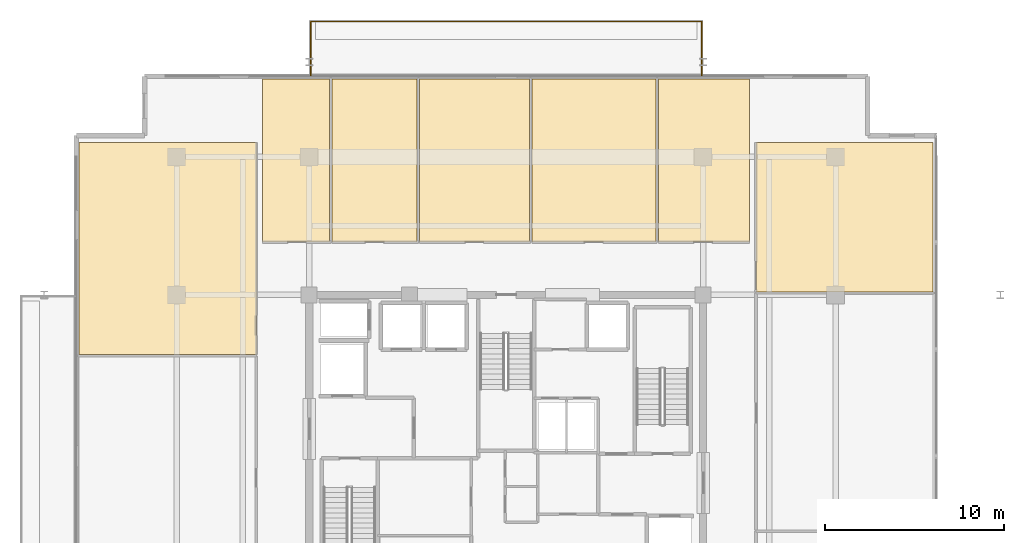
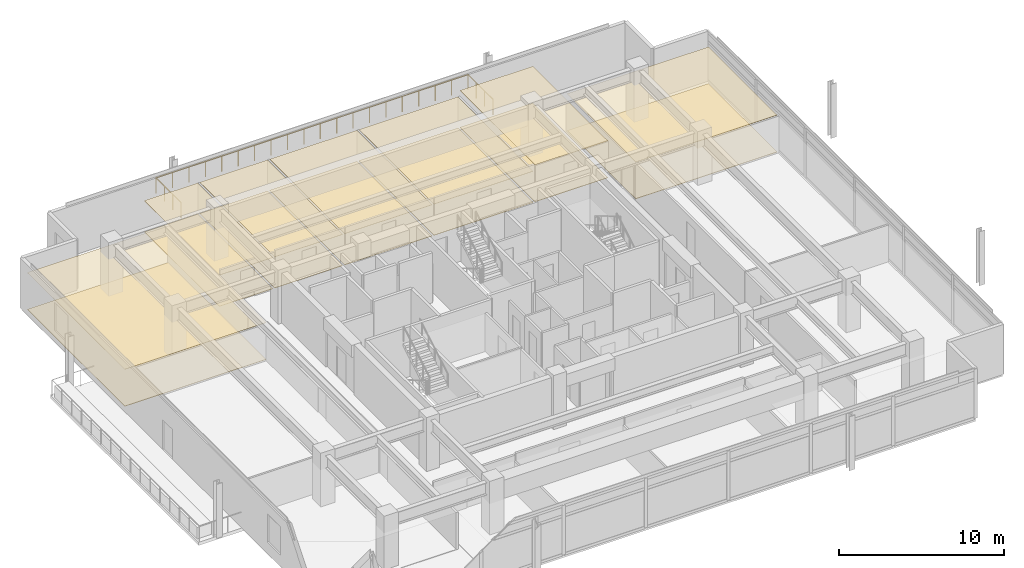
# One storey, part 18 of 18: 14 coverings, 1 railing.
"""IFC4 building model written with IfcOpenShell, lengths in metres."""

from ifc_helpers import new_model, si_unit, direction, frame, origin, origin_2d, place, context, subcontext, project, spatial, polyline, circle, outline, extrude, material, layer, layer_set, type_object, element, save


model = new_model("IFC4")

# Units and contexts
model_context = context("Model", 3, precision=1e-05, world=origin(), true_north=direction((0.0, 1.0)))
body_context = subcontext(model_context, "Body", "Model", "MODEL_VIEW")
ifc_project = project(units=[si_unit("LENGTHUNIT", "METRE"), si_unit("AREAUNIT", "SQUARE_METRE"), si_unit("VOLUMEUNIT", "CUBIC_METRE"), si_unit("PLANEANGLEUNIT", "RADIAN"), si_unit("MASSUNIT", "GRAM", prefix="KILO")], contexts=[model_context])

# Site, building, storey
site_placement = place(None, origin())
site = spatial("IfcSite", under=ifc_project, at=site_placement, CompositionType="ELEMENT")
building_placement = place(site_placement, origin())
building = spatial("IfcBuilding", under=site, at=building_placement, Name="Kovane Verandah Tower", CompositionType="ELEMENT")
storey_placement = place(building_placement, frame((0.0, 0.0, 338.800048828125)))
storey = spatial("IfcBuildingStorey", under=building, at=storey_placement, Name="L79", CompositionType="ELEMENT", Elevation=338.800048828125)

# Coverings
ifc_material_1 = material(Name="Perforated Acoustic Mineral-Fibre Ceiling Tile", Category="gypsum")
ifc_layer_1 = layer(ifc_material_1, 0.02490234375)
ifc_layer_set_1 = layer_set([ifc_layer_1], Name="Perforated Acoustic Mineral-Fibre Ceiling Tile")
covering_type_1 = type_object("IfcCoveringType", Name="CV-CEIL-25", PredefinedType="CEILING", material=ifc_layer_set_1)
covering_1_placement = place(storey_placement, frame((0.0, 0.0, 2.304931640625)))
element("IfcCovering", 1, at=covering_1_placement, inside=storey, type_object=covering_type_1, Name="L79 Focus Studio N1 Acoustic Ceiling", PredefinedType="CEILING", context=body_context, shape_type="SweptSolid", body=[
    extrude(outline(polyline([(26.39990234375, 39.449951171875), (30.137939453125, 39.449951171875), (30.137939453125, 48.550048828125), (26.39990234375, 48.550048828125), (26.39990234375, 39.449951171875)])), origin(), (0.0, 0.0, 1.0), 0.02490234375),
])
covering_2_placement = place(storey_placement, frame((0.0, 0.0, 2.304931640625)))
element("IfcCovering", 2, at=covering_2_placement, inside=storey, type_object=covering_type_1, Name="L79 Breakout Pantry N2 Acoustic Ceiling", PredefinedType="CEILING", context=body_context, shape_type="SweptSolid", body=[
    extrude(outline(polyline([(30.278076171875, 39.449951171875), (35.033935546875, 39.449951171875), (35.033935546875, 48.550048828125), (30.278076171875, 48.550048828125), (30.278076171875, 39.449951171875)])), origin(), (0.0, 0.0, 1.0), 0.02490234375),
])
covering_3_placement = place(storey_placement, frame((0.0, 0.0, 2.304931640625)))
element("IfcCovering", 3, at=covering_3_placement, inside=storey, type_object=covering_type_1, Name="L79 Collaboration Hub N3 Acoustic Ceiling", PredefinedType="CEILING", context=body_context, shape_type="SweptSolid", body=[
    extrude(outline(polyline([(35.174072265625, 39.449951171875), (41.2900390625, 39.449951171875), (41.2900390625, 48.550048828125), (35.174072265625, 48.550048828125), (35.174072265625, 39.449951171875)])), origin(), (0.0, 0.0, 1.0), 0.02490234375),
])
covering_4_placement = place(storey_placement, frame((0.0, 0.0, 2.304931640625)))
element("IfcCovering", 4, at=covering_4_placement, inside=storey, type_object=covering_type_1, Name="L79 Document and Print Room N4 Acoustic Ceiling", PredefinedType="CEILING", context=body_context, shape_type="SweptSolid", body=[
    extrude(outline(polyline([(41.429931640625, 39.449951171875), (48.362060546875, 39.449951171875), (48.362060546875, 48.550048828125), (41.429931640625, 48.550048828125), (41.429931640625, 39.449951171875)])), origin(), (0.0, 0.0, 1.0), 0.02490234375),
])
covering_5_placement = place(storey_placement, frame((0.0, 0.0, 2.728271484375)))
element("IfcCovering", 5, at=covering_5_placement, inside=storey, type_object=covering_type_1, Name="L79 Open Plan Office N5 Acoustic Ceiling", PredefinedType="CEILING", context=body_context, shape_type="SweptSolid", body=[
    extrude(outline(polyline([(48.501953125, 39.449951171875), (53.60009765625, 39.449951171875), (53.60009765625, 48.550048828125), (48.501953125, 48.550048828125), (48.501953125, 39.449951171875)])), origin(), (0.0, 0.0, 1.0), 0.025146484375),
])
covering_6_placement = place(storey_placement, frame((0.0, 0.0, 2.728271484375)))
element("IfcCovering", 6, at=covering_6_placement, inside=storey, type_object=covering_type_1, Name="L79 Document and Print Room W3 Acoustic Ceiling", PredefinedType="CEILING", context=body_context, shape_type="SweptSolid", body=[
    extrude(outline(polyline([(16.14990234375, 33.169921875), (26.050048828125, 33.169921875), (26.050048828125, 45.0), (16.14990234375, 45.0), (16.14990234375, 33.169921875)])), origin(), (0.0, 0.0, 1.0), 0.025146484375),
])
covering_7_placement = place(storey_placement, frame((0.0, 0.0, 2.728271484375)))
element("IfcCovering", 7, at=covering_7_placement, inside=storey, type_object=covering_type_1, Name="L79 Client Boardroom E3 Acoustic Ceiling", PredefinedType="CEILING", context=body_context, shape_type="SweptSolid", body=[
    extrude(outline(polyline([(53.949951171875, 36.669921875), (63.85009765625, 36.669921875), (63.85009765625, 45.0), (53.949951171875, 45.0), (53.949951171875, 36.669921875)])), origin(), (0.0, 0.0, 1.0), 0.025146484375),
])
ifc_material_2 = material(Name="Polished Terrazzo and Raised-Access Carpet Tile Finish", Category="concrete")
ifc_layer_2 = layer(ifc_material_2, 0.030029296875)
ifc_layer_set_2 = layer_set([ifc_layer_2], Name="Polished Terrazzo and Raised-Access Carpet Tile Finish")
covering_type_2 = type_object("IfcCoveringType", Name="CV-FLOR-30", PredefinedType="FLOORING", material=ifc_layer_set_2)
covering_8_placement = place(storey_placement, origin())
element("IfcCovering", 8, at=covering_8_placement, inside=storey, type_object=covering_type_2, Name="L79 Focus Studio N1 Floor Finish", PredefinedType="FLOORING", context=body_context, shape_type="SweptSolid", body=[
    extrude(outline(polyline([(26.39990234375, 39.449951171875), (30.137939453125, 39.449951171875), (30.137939453125, 48.550048828125), (26.39990234375, 48.550048828125), (26.39990234375, 39.449951171875)])), origin(), (0.0, 0.0, 1.0), 0.030029296875),
])
covering_9_placement = place(storey_placement, origin())
element("IfcCovering", 9, at=covering_9_placement, inside=storey, type_object=covering_type_2, Name="L79 Breakout Pantry N2 Floor Finish", PredefinedType="FLOORING", context=body_context, shape_type="SweptSolid", body=[
    extrude(outline(polyline([(30.278076171875, 39.449951171875), (35.033935546875, 39.449951171875), (35.033935546875, 48.550048828125), (30.278076171875, 48.550048828125), (30.278076171875, 39.449951171875)])), origin(), (0.0, 0.0, 1.0), 0.030029296875),
])
covering_10_placement = place(storey_placement, origin())
element("IfcCovering", 10, at=covering_10_placement, inside=storey, type_object=covering_type_2, Name="L79 Collaboration Hub N3 Floor Finish", PredefinedType="FLOORING", context=body_context, shape_type="SweptSolid", body=[
    extrude(outline(polyline([(35.174072265625, 39.449951171875), (41.2900390625, 39.449951171875), (41.2900390625, 48.550048828125), (35.174072265625, 48.550048828125), (35.174072265625, 39.449951171875)])), origin(), (0.0, 0.0, 1.0), 0.030029296875),
])
covering_11_placement = place(storey_placement, origin())
element("IfcCovering", 11, at=covering_11_placement, inside=storey, type_object=covering_type_2, Name="L79 Document and Print Room N4 Floor Finish", PredefinedType="FLOORING", context=body_context, shape_type="SweptSolid", body=[
    extrude(outline(polyline([(41.429931640625, 39.449951171875), (48.362060546875, 39.449951171875), (48.362060546875, 48.550048828125), (41.429931640625, 48.550048828125), (41.429931640625, 39.449951171875)])), origin(), (0.0, 0.0, 1.0), 0.030029296875),
])
covering_12_placement = place(storey_placement, origin())
element("IfcCovering", 12, at=covering_12_placement, inside=storey, type_object=covering_type_2, Name="L79 Open Plan Office N5 Floor Finish", PredefinedType="FLOORING", context=body_context, shape_type="SweptSolid", body=[
    extrude(outline(polyline([(48.501953125, 39.449951171875), (53.60009765625, 39.449951171875), (53.60009765625, 48.550048828125), (48.501953125, 48.550048828125), (48.501953125, 39.449951171875)])), origin(), (0.0, 0.0, 1.0), 0.030029296875),
])
covering_13_placement = place(storey_placement, origin())
element("IfcCovering", 13, at=covering_13_placement, inside=storey, type_object=covering_type_2, Name="L79 Document and Print Room W3 Floor Finish", PredefinedType="FLOORING", context=body_context, shape_type="SweptSolid", body=[
    extrude(outline(polyline([(16.14990234375, 33.169921875), (26.050048828125, 33.169921875), (26.050048828125, 45.0), (16.14990234375, 45.0), (16.14990234375, 33.169921875)])), origin(), (0.0, 0.0, 1.0), 0.030029296875),
])
covering_14_placement = place(storey_placement, origin())
element("IfcCovering", 14, at=covering_14_placement, inside=storey, type_object=covering_type_2, Name="L79 Client Boardroom E3 Floor Finish", PredefinedType="FLOORING", context=body_context, shape_type="SweptSolid", body=[
    extrude(outline(polyline([(53.949951171875, 36.669921875), (63.85009765625, 36.669921875), (63.85009765625, 45.0), (53.949951171875, 45.0), (53.949951171875, 36.669921875)])), origin(), (0.0, 0.0, 1.0), 0.030029296875),
])

# Railing
ifc_material_3 = material(Name="Laminated Glass and Pale-Champagne Stainless Balustrade", Category="glass")
railing_type = type_object("IfcRailingType", Name="RL-BAL-1150", PredefinedType="BALUSTRADE", material=ifc_material_3)
railing_placement = place(storey_placement, frame((29.080078125, 48.75, 0.0)))
element("IfcRailing", 15, at=railing_placement, inside=storey, type_object=railing_type, Name="L79 N Verandah Glass Balustrade", PredefinedType="BALUSTRADE", context=body_context, shape_type="SweptSolid", body=[
    extrude(circle(Radius=0.02392578125, at=origin_2d()), frame((0.0, 0.0, 1.1259765625), z_axis=(0.0, 1.0, 0.0), x_axis=(-1.0, 0.0, 0.0)), (0.0, 0.0, 1.0), 3.02001953125),
    extrude(circle(Radius=0.02392578125, at=origin_2d()), frame((0.0, 3.02001953125, 1.1259765625), z_axis=(1.0, 0.0, 0.0), x_axis=(0.0, 1.0, 0.0)), (0.0, 0.0, 1.0), 21.83984375),
    extrude(circle(Radius=0.02392578125, at=origin_2d()), frame((21.83984375, 3.02001953125, 1.1259765625), z_axis=(0.0, -1.0, 0.0), x_axis=(1.0, 0.0, 0.0)), (0.0, 0.0, 1.0), 3.02001953125),
    extrude(circle(Radius=0.02099609375, at=origin_2d()), origin(), (0.0, 0.0, 1.0), 1.101806640625),
    extrude(circle(Radius=0.02099609375, at=origin_2d()), frame((0.0, 1.006591796875, 0.0)), (0.0, 0.0, 1.0), 1.101806640625),
    extrude(circle(Radius=0.02099609375, at=origin_2d()), frame((0.0, 2.013427734375, 0.0)), (0.0, 0.0, 1.0), 1.101806640625),
    extrude(circle(Radius=0.02099609375, at=origin_2d()), frame((0.0, 3.02001953125, 0.0)), (0.0, 0.0, 1.0), 1.101806640625),
    extrude(circle(Radius=0.02099609375, at=origin_2d()), frame((1.1494140625, 3.02001953125, 0.0)), (0.0, 0.0, 1.0), 1.101806640625),
    extrude(circle(Radius=0.02099609375, at=origin_2d()), frame((2.298828125, 3.02001953125, 0.0)), (0.0, 0.0, 1.0), 1.101806640625),
    extrude(circle(Radius=0.02099609375, at=origin_2d()), frame((3.448486328125, 3.02001953125, 0.0)), (0.0, 0.0, 1.0), 1.101806640625),
    extrude(circle(Radius=0.02099609375, at=origin_2d()), frame((4.597900390625, 3.02001953125, 0.0)), (0.0, 0.0, 1.0), 1.101806640625),
    extrude(circle(Radius=0.02099609375, at=origin_2d()), frame((5.747314453125, 3.02001953125, 0.0)), (0.0, 0.0, 1.0), 1.101806640625),
    extrude(circle(Radius=0.02099609375, at=origin_2d()), frame((6.896728515625, 3.02001953125, 0.0)), (0.0, 0.0, 1.0), 1.101806640625),
    extrude(circle(Radius=0.02099609375, at=origin_2d()), frame((8.046142578125, 3.02001953125, 0.0)), (0.0, 0.0, 1.0), 1.101806640625),
    extrude(circle(Radius=0.02099609375, at=origin_2d()), frame((9.19580078125, 3.02001953125, 0.0)), (0.0, 0.0, 1.0), 1.101806640625),
    extrude(circle(Radius=0.02099609375, at=origin_2d()), frame((10.34521484375, 3.02001953125, 0.0)), (0.0, 0.0, 1.0), 1.101806640625),
    extrude(circle(Radius=0.02099609375, at=origin_2d()), frame((11.49462890625, 3.02001953125, 0.0)), (0.0, 0.0, 1.0), 1.101806640625),
    extrude(circle(Radius=0.02099609375, at=origin_2d()), frame((12.64404296875, 3.02001953125, 0.0)), (0.0, 0.0, 1.0), 1.101806640625),
    extrude(circle(Radius=0.02099609375, at=origin_2d()), frame((13.793701171875, 3.02001953125, 0.0)), (0.0, 0.0, 1.0), 1.101806640625),
    extrude(circle(Radius=0.02099609375, at=origin_2d()), frame((14.943115234375, 3.02001953125, 0.0)), (0.0, 0.0, 1.0), 1.101806640625),
    extrude(circle(Radius=0.02099609375, at=origin_2d()), frame((16.092529296875, 3.02001953125, 0.0)), (0.0, 0.0, 1.0), 1.101806640625),
    extrude(circle(Radius=0.02099609375, at=origin_2d()), frame((17.241943359375, 3.02001953125, 0.0)), (0.0, 0.0, 1.0), 1.101806640625),
    extrude(circle(Radius=0.02099609375, at=origin_2d()), frame((18.391357421875, 3.02001953125, 0.0)), (0.0, 0.0, 1.0), 1.101806640625),
    extrude(circle(Radius=0.02099609375, at=origin_2d()), frame((19.541015625, 3.02001953125, 0.0)), (0.0, 0.0, 1.0), 1.101806640625),
    extrude(circle(Radius=0.02099609375, at=origin_2d()), frame((20.6904296875, 3.02001953125, 0.0)), (0.0, 0.0, 1.0), 1.101806640625),
    extrude(circle(Radius=0.02099609375, at=origin_2d()), frame((21.83984375, 3.02001953125, 0.0)), (0.0, 0.0, 1.0), 1.101806640625),
    extrude(circle(Radius=0.02099609375, at=origin_2d()), frame((21.83984375, 2.013427734375, 0.0)), (0.0, 0.0, 1.0), 1.101806640625),
    extrude(circle(Radius=0.02099609375, at=origin_2d()), frame((21.83984375, 1.006591796875, 0.0)), (0.0, 0.0, 1.0), 1.101806640625),
    extrude(circle(Radius=0.02099609375, at=origin_2d()), frame((21.83984375, 0.0, 0.0)), (0.0, 0.0, 1.0), 1.101806640625),
])

save(model, "model.ifc")
